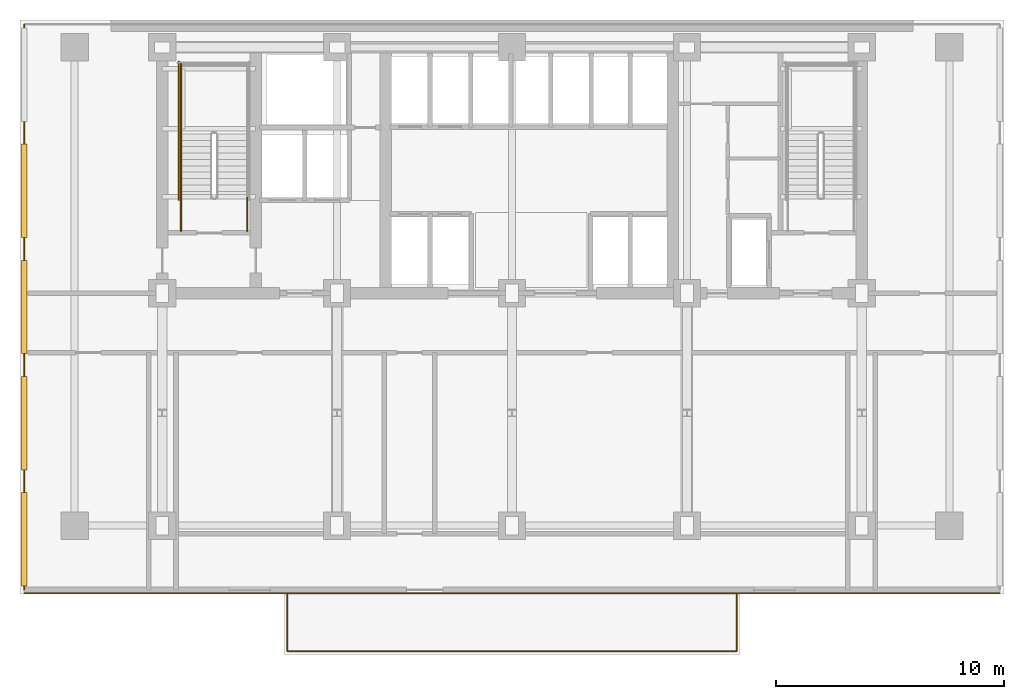
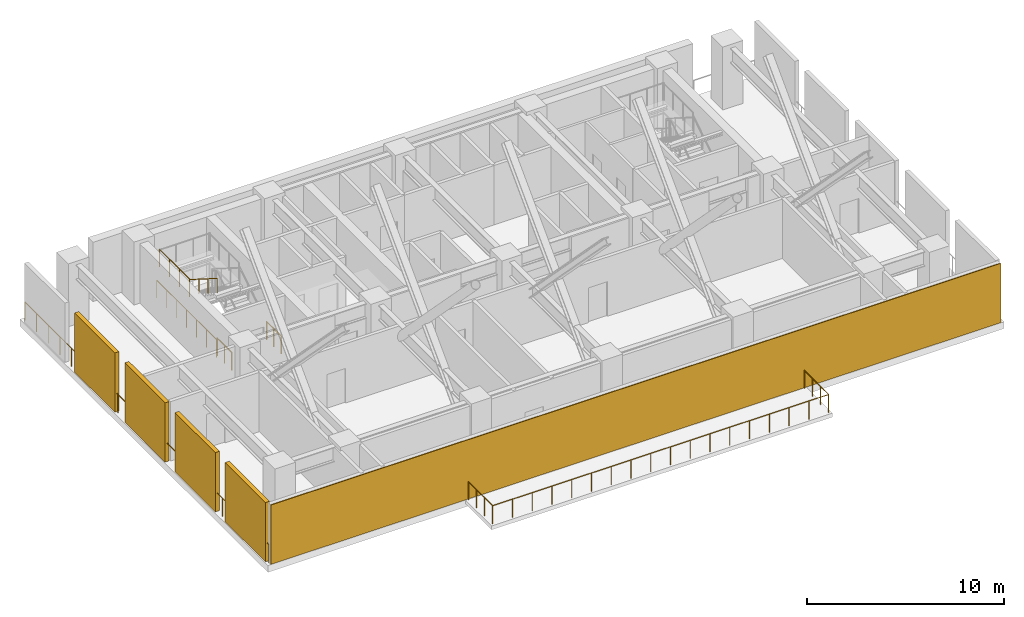
# One storey, part 5 of 8: 7 railings, 4 shading devices, 1 covering.
"""IFC4 building model written with IfcOpenShell, lengths in metres."""

from ifc_helpers import new_model, si_unit, direction, frame, frame_2d, origin, origin_2d, place, context, subcontext, project, spatial, rectangle, circle, extrude, material, layer, layer_set, type_object, element, save


model = new_model("IFC4")

# Units and contexts
model_context = context("Model", 3, precision=1e-05, world=origin(), true_north=direction((0.0, 1.0)))
body_context = subcontext(model_context, "Body", "Model", "MODEL_VIEW")
ifc_project = project(units=[si_unit("LENGTHUNIT", "METRE"), si_unit("AREAUNIT", "SQUARE_METRE"), si_unit("VOLUMEUNIT", "CUBIC_METRE"), si_unit("PLANEANGLEUNIT", "RADIAN"), si_unit("MASSUNIT", "GRAM", prefix="KILO")], contexts=[model_context])

# Site, building, storey
site_placement = place(None, origin())
site = spatial("IfcSite", under=ifc_project, at=site_placement, CompositionType="ELEMENT")
building_placement = place(site_placement, origin())
building = spatial("IfcBuilding", under=site, at=building_placement, Name="Yelkora Congress Tower", CompositionType="ELEMENT")
storey_placement = place(building_placement, frame((0.0, 0.0, 78.0)))
storey = spatial("IfcBuildingStorey", under=building, at=storey_placement, Name="L20", CompositionType="ELEMENT", Elevation=78.0)

# Covering
ifc_material_1 = material(Name="Anatolian honed limestone ashlar", Category="masonry")
ifc_layer_1 = layer(ifc_material_1, 0.050048828125)
ifc_layer_set_1 = layer_set([ifc_layer_1], Name="Anatolian honed limestone ashlar")
covering_type = type_object("IfcCoveringType", Name="COV-CLAD-LIMESTONE-50", PredefinedType="CLADDING", material=ifc_layer_set_1)
covering_placement = place(storey_placement, frame((16.97998046875, 22.239990234375, 0.0), z_axis=(0.0, 0.0, 1.0), x_axis=(1.0, 0.0, 0.0)))
element("IfcCovering", 1, at=covering_placement, inside=storey, type_object=covering_type, Name="L20 Anatolian Limestone Cladding EW-L20-S-SG", PredefinedType="CLADDING", context=body_context, shape_type="SweptSolid", body=[
    extrude(rectangle(XDim=42.840087890625, YDim=0.050048828125, at=frame_2d((21.419921875, 0.0))), origin(), (0.0, 0.0, 1.0), 3.679931640625),
])

# Railings
ifc_material_2 = material(Name="Stainless steel 316L and laminated glass infill", Category="steel")
ifc_layer_2 = layer(ifc_material_2, 0.080078125)
ifc_layer_set_2 = layer_set([ifc_layer_2], Name="Stainless steel 316L and laminated glass infill")
railing_type_1 = type_object("IfcRailingType", Name="RAIL-EXT-GUARD-1150", PredefinedType="GUARDRAIL", material=ifc_layer_set_2)
railing_1_placement = place(storey_placement, frame((16.97998046875, 22.39990234375, 0.0)))
element("IfcRailing", 2, at=railing_1_placement, inside=storey, type_object=railing_type_1, Name="L20 Wind-Floor Perimeter Guardrail W", PredefinedType="GUARDRAIL", context=body_context, shape_type="SweptSolid", body=[
    extrude(circle(Radius=0.02392578125, at=origin_2d()), frame((0.0, 0.0, 1.1259765625), z_axis=(0.0, 1.0, 0.0), x_axis=(-1.0, 0.0, 0.0)), (0.0, 0.0, 1.0), 24.800048828125),
    extrude(circle(Radius=0.02099609375, at=origin_2d()), origin(), (0.0, 0.0, 1.0), 1.101806640625),
    extrude(circle(Radius=0.02099609375, at=origin_2d()), frame((0.0, 1.180908203125, 0.0)), (0.0, 0.0, 1.0), 1.101806640625),
    extrude(circle(Radius=0.02099609375, at=origin_2d()), frame((0.0, 2.36181640625, 0.0)), (0.0, 0.0, 1.0), 1.101806640625),
    extrude(circle(Radius=0.02099609375, at=origin_2d()), frame((0.0, 3.54296875, 0.0)), (0.0, 0.0, 1.0), 1.101806640625),
    extrude(circle(Radius=0.02099609375, at=origin_2d()), frame((0.0, 4.723876953125, 0.0)), (0.0, 0.0, 1.0), 1.101806640625),
    extrude(circle(Radius=0.02099609375, at=origin_2d()), frame((0.0, 5.90478515625, 0.0)), (0.0, 0.0, 1.0), 1.101806640625),
    extrude(circle(Radius=0.02099609375, at=origin_2d()), frame((0.0, 7.085693359375, 0.0)), (0.0, 0.0, 1.0), 1.101806640625),
    extrude(circle(Radius=0.02099609375, at=origin_2d()), frame((0.0, 8.2666015625, 0.0)), (0.0, 0.0, 1.0), 1.101806640625),
    extrude(circle(Radius=0.02099609375, at=origin_2d()), frame((0.0, 9.44775390625, 0.0)), (0.0, 0.0, 1.0), 1.101806640625),
    extrude(circle(Radius=0.02099609375, at=origin_2d()), frame((0.0, 10.628662109375, 0.0)), (0.0, 0.0, 1.0), 1.101806640625),
    extrude(circle(Radius=0.02099609375, at=origin_2d()), frame((0.0, 11.8095703125, 0.0)), (0.0, 0.0, 1.0), 1.101806640625),
    extrude(circle(Radius=0.02099609375, at=origin_2d()), frame((0.0, 12.990478515625, 0.0)), (0.0, 0.0, 1.0), 1.101806640625),
    extrude(circle(Radius=0.02099609375, at=origin_2d()), frame((0.0, 14.17138671875, 0.0)), (0.0, 0.0, 1.0), 1.101806640625),
    extrude(circle(Radius=0.02099609375, at=origin_2d()), frame((0.0, 15.352294921875, 0.0)), (0.0, 0.0, 1.0), 1.101806640625),
    extrude(circle(Radius=0.02099609375, at=origin_2d()), frame((0.0, 16.533447265625, 0.0)), (0.0, 0.0, 1.0), 1.101806640625),
    extrude(circle(Radius=0.02099609375, at=origin_2d()), frame((0.0, 17.71435546875, 0.0)), (0.0, 0.0, 1.0), 1.101806640625),
    extrude(circle(Radius=0.02099609375, at=origin_2d()), frame((0.0, 18.895263671875, 0.0)), (0.0, 0.0, 1.0), 1.101806640625),
    extrude(circle(Radius=0.02099609375, at=origin_2d()), frame((0.0, 20.076171875, 0.0)), (0.0, 0.0, 1.0), 1.101806640625),
    extrude(circle(Radius=0.02099609375, at=origin_2d()), frame((0.0, 21.257080078125, 0.0)), (0.0, 0.0, 1.0), 1.101806640625),
    extrude(circle(Radius=0.02099609375, at=origin_2d()), frame((0.0, 22.438232421875, 0.0)), (0.0, 0.0, 1.0), 1.101806640625),
    extrude(circle(Radius=0.02099609375, at=origin_2d()), frame((0.0, 23.619140625, 0.0)), (0.0, 0.0, 1.0), 1.101806640625),
    extrude(circle(Radius=0.02099609375, at=origin_2d()), frame((0.0, 24.800048828125, 0.0)), (0.0, 0.0, 1.0), 1.101806640625),
])
railing_2_placement = place(storey_placement, frame((28.5400390625, 22.159912109375, 0.0)))
element("IfcRailing", 3, at=railing_2_placement, inside=storey, type_object=railing_type_1, Name="L20 Sky Garden Terrace Perimeter Guardrail", PredefinedType="GUARDRAIL", context=body_context, shape_type="SweptSolid", body=[
    extrude(circle(Radius=0.02392578125, at=origin_2d()), frame((0.0, 0.0, 1.1259765625), z_axis=(0.0, -1.0, 0.0), x_axis=(1.0, 0.0, 0.0)), (0.0, 0.0, 1.0), 2.469970703125),
    extrude(circle(Radius=0.02392578125, at=origin_2d()), frame((0.0, -2.469970703125, 1.1259765625), z_axis=(1.0, 0.0, 0.0), x_axis=(0.0, 1.0, 0.0)), (0.0, 0.0, 1.0), 19.719970703125),
    extrude(circle(Radius=0.02392578125, at=origin_2d()), frame((19.719970703125, -2.469970703125, 1.1259765625), z_axis=(0.0, 1.0, 0.0), x_axis=(-1.0, 0.0, 0.0)), (0.0, 0.0, 1.0), 2.469970703125),
    extrude(circle(Radius=0.02099609375, at=origin_2d()), origin(), (0.0, 0.0, 1.0), 1.101806640625),
    extrude(circle(Radius=0.02099609375, at=origin_2d()), frame((0.0, -0.8232421875, 0.0)), (0.0, 0.0, 1.0), 1.101806640625),
    extrude(circle(Radius=0.02099609375, at=origin_2d()), frame((0.0, -1.646728515625, 0.0)), (0.0, 0.0, 1.0), 1.101806640625),
    extrude(circle(Radius=0.02099609375, at=origin_2d()), frame((0.0, -2.469970703125, 0.0)), (0.0, 0.0, 1.0), 1.101806640625),
    extrude(circle(Radius=0.02099609375, at=origin_2d()), frame((1.159912109375, -2.469970703125, 0.0)), (0.0, 0.0, 1.0), 1.101806640625),
    extrude(circle(Radius=0.02099609375, at=origin_2d()), frame((2.320068359375, -2.469970703125, 0.0)), (0.0, 0.0, 1.0), 1.101806640625),
    extrude(circle(Radius=0.02099609375, at=origin_2d()), frame((3.47998046875, -2.469970703125, 0.0)), (0.0, 0.0, 1.0), 1.101806640625),
    extrude(circle(Radius=0.02099609375, at=origin_2d()), frame((4.639892578125, -2.469970703125, 0.0)), (0.0, 0.0, 1.0), 1.101806640625),
    extrude(circle(Radius=0.02099609375, at=origin_2d()), frame((5.800048828125, -2.469970703125, 0.0)), (0.0, 0.0, 1.0), 1.101806640625),
    extrude(circle(Radius=0.02099609375, at=origin_2d()), frame((6.9599609375, -2.469970703125, 0.0)), (0.0, 0.0, 1.0), 1.101806640625),
    extrude(circle(Radius=0.02099609375, at=origin_2d()), frame((8.119873046875, -2.469970703125, 0.0)), (0.0, 0.0, 1.0), 1.101806640625),
    extrude(circle(Radius=0.02099609375, at=origin_2d()), frame((9.280029296875, -2.469970703125, 0.0)), (0.0, 0.0, 1.0), 1.101806640625),
    extrude(circle(Radius=0.02099609375, at=origin_2d()), frame((10.43994140625, -2.469970703125, 0.0)), (0.0, 0.0, 1.0), 1.101806640625),
    extrude(circle(Radius=0.02099609375, at=origin_2d()), frame((11.60009765625, -2.469970703125, 0.0)), (0.0, 0.0, 1.0), 1.101806640625),
    extrude(circle(Radius=0.02099609375, at=origin_2d()), frame((12.760009765625, -2.469970703125, 0.0)), (0.0, 0.0, 1.0), 1.101806640625),
    extrude(circle(Radius=0.02099609375, at=origin_2d()), frame((13.919921875, -2.469970703125, 0.0)), (0.0, 0.0, 1.0), 1.101806640625),
    extrude(circle(Radius=0.02099609375, at=origin_2d()), frame((15.080078125, -2.469970703125, 0.0)), (0.0, 0.0, 1.0), 1.101806640625),
    extrude(circle(Radius=0.02099609375, at=origin_2d()), frame((16.239990234375, -2.469970703125, 0.0)), (0.0, 0.0, 1.0), 1.101806640625),
    extrude(circle(Radius=0.02099609375, at=origin_2d()), frame((17.39990234375, -2.469970703125, 0.0)), (0.0, 0.0, 1.0), 1.101806640625),
    extrude(circle(Radius=0.02099609375, at=origin_2d()), frame((18.56005859375, -2.469970703125, 0.0)), (0.0, 0.0, 1.0), 1.101806640625),
    extrude(circle(Radius=0.02099609375, at=origin_2d()), frame((19.719970703125, -2.469970703125, 0.0)), (0.0, 0.0, 1.0), 1.101806640625),
    extrude(circle(Radius=0.02099609375, at=origin_2d()), frame((19.719970703125, -1.646728515625, 0.0)), (0.0, 0.0, 1.0), 1.101806640625),
    extrude(circle(Radius=0.02099609375, at=origin_2d()), frame((19.719970703125, -0.8232421875, 0.0)), (0.0, 0.0, 1.0), 1.101806640625),
    extrude(circle(Radius=0.02099609375, at=origin_2d()), frame((19.719970703125, 0.0, 0.0)), (0.0, 0.0, 1.0), 1.101806640625),
])
ifc_material_3 = material(Name="Painted galvanised steel stair well guard with vertical infill", Category="steel")
ifc_layer_3 = layer(ifc_material_3, 0.06005859375)
ifc_layer_set_3 = layer_set([ifc_layer_3], Name="Painted galvanised steel stair well guard with vertical infill")
railing_type_2 = type_object("IfcRailingType", Name="RAIL-STAIR-GUARD-1120", PredefinedType="GUARDRAIL", material=ifc_layer_set_3)
railing_3_placement = place(storey_placement, frame((23.8701171875, 42.39990234375, 1.949951171875)))
element("IfcRailing", 4, at=railing_3_placement, inside=storey, type_object=railing_type_2, Name="ST-01 L20 Stair Well Guardrail 4", PredefinedType="GUARDRAIL", context=body_context, shape_type="SweptSolid", body=[
    extrude(circle(Radius=0.02392578125, at=origin_2d()), frame((0.0, 0.0, 1.09619140625), z_axis=(0.0, 1.0, 0.0), x_axis=(-1.0, 0.0, 0.0)), (0.0, 0.0, 1.0), 3.070068359375),
    extrude(circle(Radius=0.02099609375, at=origin_2d()), origin(), (0.0, 0.0, 1.0), 1.072021484375),
    extrude(circle(Radius=0.02099609375, at=origin_2d()), frame((0.0, 1.0234375, 0.0)), (0.0, 0.0, 1.0), 1.072021484375),
    extrude(circle(Radius=0.02099609375, at=origin_2d()), frame((0.0, 2.046630859375, 0.0)), (0.0, 0.0, 1.0), 1.072021484375),
    extrude(circle(Radius=0.02099609375, at=origin_2d()), frame((0.0, 3.070068359375, 0.0)), (0.0, 0.0, 1.0), 1.072021484375),
])
for number, where, name in (
    (5, (26.77001953125, 38.1201171875, 0.0), "ST-01 L20 Stair Well Guardrail 8"),
    (6, (23.8701171875, 38.1201171875, 0.0), "ST-01 L20 Stair Well Guardrail 9"),
):
    element("IfcRailing", number, at=place(storey_placement, frame(where)), inside=storey, type_object=railing_type_2, Name=name, PredefinedType="GUARDRAIL", context=body_context, shape_type="SweptSolid", body=[
        extrude(circle(Radius=0.02392578125, at=origin_2d()), frame((0.0, 0.0, 1.09619140625), z_axis=(0.0, 1.0, 0.0), x_axis=(-1.0, 0.0, 0.0)), (0.0, 0.0, 1.0), 1.47998046875),
        extrude(circle(Radius=0.02099609375, at=origin_2d()), origin(), (0.0, 0.0, 1.0), 1.072021484375),
        extrude(circle(Radius=0.02099609375, at=origin_2d()), frame((0.0, 0.739990234375, 0.0)), (0.0, 0.0, 1.0), 1.072021484375),
        extrude(circle(Radius=0.02099609375, at=origin_2d()), frame((0.0, 1.47998046875, 0.0)), (0.0, 0.0, 1.0), 1.072021484375),
    ])
railing_4_placement = place(storey_placement, frame((23.77001953125, 39.5, 0.0)))
element("IfcRailing", 7, at=railing_4_placement, inside=storey, type_object=railing_type_2, Name="ST-01 L20 Stair Well Guardrail 11", PredefinedType="GUARDRAIL", context=body_context, shape_type="SweptSolid", body=[
    extrude(circle(Radius=0.02392578125, at=origin_2d()), frame((0.0, 0.0, 1.09619140625), z_axis=(0.0, 1.0, 0.0), x_axis=(-1.0, 0.0, 0.0)), (0.0, 0.0, 1.0), 6.070068359375),
    extrude(circle(Radius=0.02099609375, at=origin_2d()), origin(), (0.0, 0.0, 1.0), 1.072021484375),
    extrude(circle(Radius=0.02099609375, at=origin_2d()), frame((0.0, 1.01171875, 0.0)), (0.0, 0.0, 1.0), 1.072021484375),
    extrude(circle(Radius=0.02099609375, at=origin_2d()), frame((0.0, 2.0234375, 0.0)), (0.0, 0.0, 1.0), 1.072021484375),
    extrude(circle(Radius=0.02099609375, at=origin_2d()), frame((0.0, 3.03515625, 0.0)), (0.0, 0.0, 1.0), 1.072021484375),
    extrude(circle(Radius=0.02099609375, at=origin_2d()), frame((0.0, 4.046630859375, 0.0)), (0.0, 0.0, 1.0), 1.072021484375),
    extrude(circle(Radius=0.02099609375, at=origin_2d()), frame((0.0, 5.058349609375, 0.0)), (0.0, 0.0, 1.0), 1.072021484375),
    extrude(circle(Radius=0.02099609375, at=origin_2d()), frame((0.0, 6.070068359375, 0.0)), (0.0, 0.0, 1.0), 1.072021484375),
])
ifc_material_4 = material(Name="Brushed stainless steel tubular handrail", Category="steel")
ifc_layer_4 = layer(ifc_material_4, 0.050048828125)
ifc_layer_set_4 = layer_set([ifc_layer_4], Name="Brushed stainless steel tubular handrail")
railing_type_3 = type_object("IfcRailingType", Name="RAIL-STAIR-HAND-920", PredefinedType="HANDRAIL", material=ifc_layer_set_4)
railing_5_placement = place(storey_placement, frame((23.8701171875, 42.39990234375, 2.127197265625)))
element("IfcRailing", 8, at=railing_5_placement, inside=storey, type_object=railing_type_3, Name="ST-01 L20 Pitch Handrail 2", PredefinedType="HANDRAIL", context=body_context, shape_type="SweptSolid", body=[
    extrude(circle(Radius=0.02392578125, at=origin_2d()), frame((0.0, 0.0, 0.89599609375), z_axis=(0.0, -0.844887892834, 0.53494340686), x_axis=(1.0, 0.0, 0.0)), (0.0, 0.0, 1.0), 3.313720703125),
    extrude(circle(Radius=0.02099609375, at=origin_2d()), origin(), (0.0, 0.0, 1.0), 0.871826171875),
    extrude(circle(Radius=0.02099609375, at=origin_2d()), frame((0.0, -0.933349609375, 0.5908203125)), (0.0, 0.0, 1.0), 0.871826171875),
    extrude(circle(Radius=0.02099609375, at=origin_2d()), frame((0.0, -1.866455078125, 1.181884765625)), (0.0, 0.0, 1.0), 0.871826171875),
    extrude(circle(Radius=0.02099609375, at=origin_2d()), frame((0.0, -2.7998046875, 1.772705078125)), (0.0, 0.0, 1.0), 0.871826171875),
])

# Shading devices
ifc_material_5 = material(Name="Perforated anodised aluminium louvre", Category="aluminium")
ifc_layer_5 = layer(ifc_material_5, 3.39990234375)
ifc_layer_set_5 = layer_set([ifc_layer_5], Name="Perforated anodised aluminium louvre")
shading_device_type = type_object("IfcShadingDeviceType", Name="SHD-LOUVRE-WIND", PredefinedType="JALOUSIE", material=ifc_layer_set_5)
for number, where, z_axis, x_axis, name in (
    (9, (16.97998046875, 24.60009765625, 0.0), (0.0, 0.0, 1.0), (1.0, 0.0, 0.0), "L20 Acoustic Wind-Floor Louvre Screen W1"),
    (10, (16.97998046875, 29.699951171875, 0.0), (0.0, 0.0, 1.0), (1.0, 0.0, 0.0), "L20 Acoustic Wind-Floor Louvre Screen W2"),
    (11, (16.97998046875, 34.800048828125, 0.0), (0.0, 0.0, 1.0), (1.0, 0.0, 0.0), "L20 Acoustic Wind-Floor Louvre Screen W3"),
    (12, (16.97998046875, 39.89990234375, 0.0), (0.0, 0.0, 1.0), (1.0, 0.0, 0.0), "L20 Acoustic Wind-Floor Louvre Screen W4"),
):
    element("IfcShadingDevice", number, at=place(storey_placement, frame(where, z_axis=z_axis, x_axis=x_axis)), inside=storey, type_object=shading_device_type, Name=name, PredefinedType="JALOUSIE", context=body_context, shape_type="SweptSolid", body=[
        extrude(rectangle(XDim=0.239990234375, YDim=4.10009765625, at=origin_2d()), origin(), (0.0, 0.0, 1.0), 3.679931640625),
    ])

save(model, "model.ifc")
